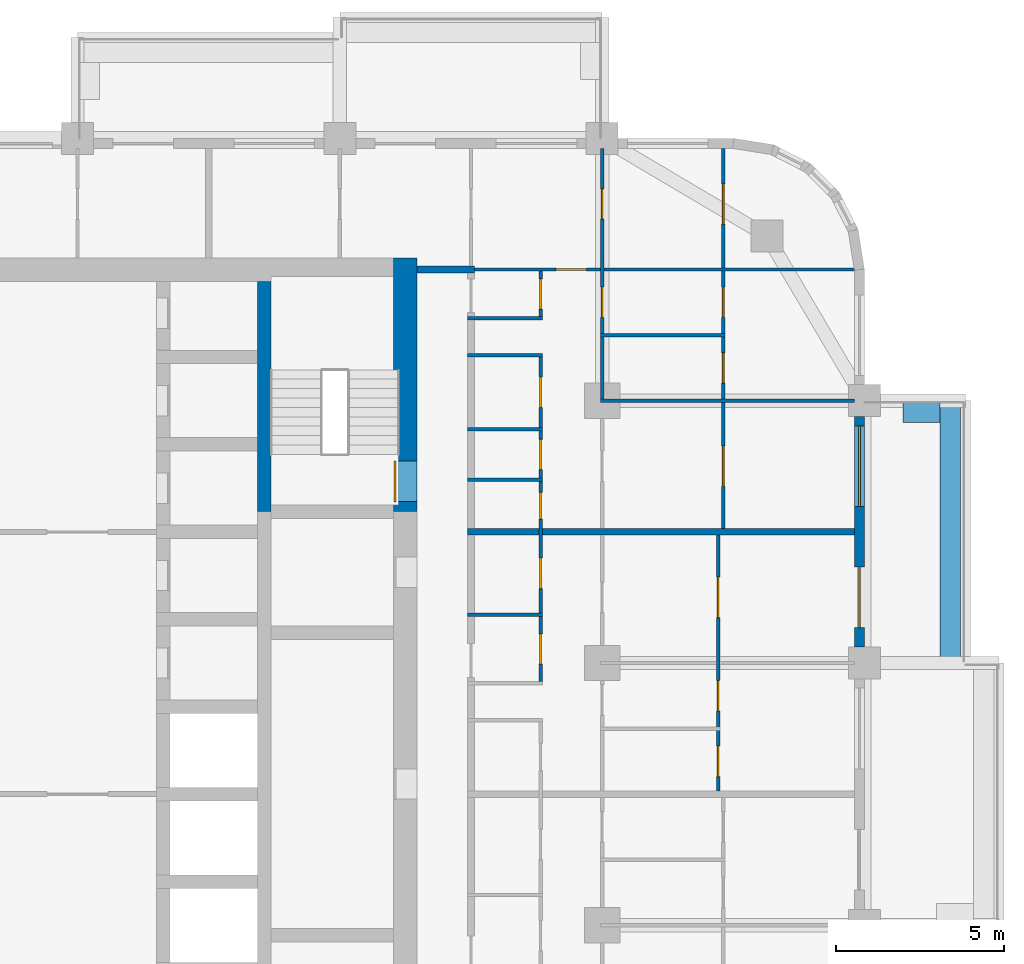
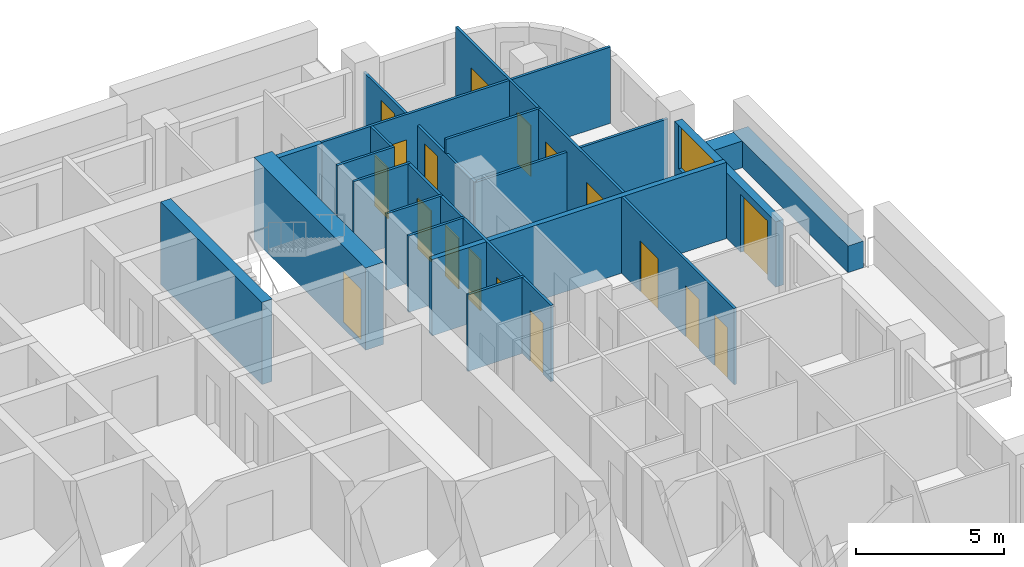
# One storey, part 13 of 18: 20 walls, 18 doors, 1 window, 19 openings.
"""IFC4 building model written with IfcOpenShell, lengths in metres."""

from ifc_helpers import new_model, si_unit, direction, frame, frame_2d, origin, place, context, subcontext, project, spatial, rectangle, extrude, material, layer, layer_set, type_object, element, fill, save


model = new_model("IFC4")

# Units and contexts
model_context = context("Model", 3, precision=1e-05, world=origin(), true_north=direction((0.0, 1.0)))
body_context = subcontext(model_context, "Body", "Model", "MODEL_VIEW")
ifc_project = project(units=[si_unit("LENGTHUNIT", "METRE"), si_unit("AREAUNIT", "SQUARE_METRE"), si_unit("VOLUMEUNIT", "CUBIC_METRE"), si_unit("PLANEANGLEUNIT", "RADIAN"), si_unit("MASSUNIT", "GRAM", prefix="KILO")], contexts=[model_context])

# Site, building, storey
site_placement = place(None, origin())
site = spatial("IfcSite", under=ifc_project, at=site_placement, CompositionType="ELEMENT")
building_placement = place(site_placement, origin())
building = spatial("IfcBuilding", under=site, at=building_placement, Name="Ludao Terraces", CompositionType="ELEMENT")
storey_placement = place(building_placement, frame((0.0, 0.0, 78.39990234375)))
storey = spatial("IfcBuildingStorey", under=building, at=storey_placement, Name="L21", CompositionType="ELEMENT", Elevation=78.39990234375)

# Wall, opening, door
ifc_material_1 = material(Name="Concrete C70", Category="concrete")
ifc_layer_1 = layer(ifc_material_1, 0.699951171875)
ifc_layer_set_1 = layer_set([ifc_layer_1], Name="Core wall 700 C70")
wall_type_1 = type_object("IfcWallType", Name="Core wall 700 C70", PredefinedType="SOLIDWALL", material=ifc_layer_set_1)
wall_1_placement = place(storey_placement, frame((94.75, 77.300048828125, -0.25), z_axis=(0.0, 0.0, 1.0), x_axis=(0.0, 1.0, 0.0)))
wall_1 = element("IfcWall", 1, at=wall_1_placement, inside=storey, type_object=wall_type_1, Name="Core wall L21 outer-E-S2", PredefinedType="SOLIDWALL", context=body_context, shape_type="SweptSolid", body=[
    extrude(rectangle(XDim=7.550048828125, YDim=0.699951171875, at=frame_2d((3.77490234375, 0.0))), origin(), (0.0, 0.0, 1.0), 3.400146484375),
])
opening_1_placement = place(wall_1_placement, frame((0.300048828125, 0.0, 0.25)))
opening_1 = element("IfcOpeningElement", 2, at=opening_1_placement, cuts=wall_1, Name="Opening R06-132", PredefinedType="OPENING", context=body_context, shape_type="SweptSolid", body=[
    extrude(rectangle(XDim=1.199951171875, YDim=2.10009765625, at=frame_2d((0.60009765625, 1.050048828125))), frame((0.0, 0.35986328125, 0.0), z_axis=(0.0, -1.0, 0.0), x_axis=(1.0, 0.0, 0.0)), (0.0, 0.0, 1.0), 0.719970703125),
])
ifc_material_2 = material(Name="Steel Q235", Category="steel")
door_type_1 = type_object("IfcDoorType", Name="INT Stair door 1200", OperationType="DOUBLE_DOOR_SINGLE_SWING", PredefinedType="DOOR", material=ifc_material_2)
door_1_placement = place(opening_1_placement, origin())
door_1 = element("IfcDoor", 3, at=door_1_placement, inside=storey, type_object=door_type_1, Name="DOOR 132", OperationType="DOUBLE_DOOR_SINGLE_SWING", OverallHeight=2.10009765625, OverallWidth=1.199951171875, PredefinedType="DOOR", context=body_context, shape_type="SweptSolid", body=[
    extrude(rectangle(XDim=1.199951171875, YDim=2.10009765625, at=frame_2d((0.60009765625, 1.050048828125))), frame((0.0, 0.3349609375, 0.0), z_axis=(0.0, -1.0, 0.0), x_axis=(1.0, 0.0, 0.0)), (0.0, 0.0, 1.0), 0.050048828125),
])
fill(opening_1, door_1)

# Walls
ifc_material_3 = material(Name="Concrete C40", Category="concrete")
ifc_layer_2 = layer(ifc_material_3, 0.60009765625)
ifc_layer_set_2 = layer_set([ifc_layer_2], Name="ENV Planter trough 600")
wall_type_2 = type_object("IfcWallType", Name="ENV Planter trough 600", PredefinedType="USERDEFINED", material=ifc_layer_set_2)
wall_2_placement = place(storey_placement, frame((110.949951171875, 72.800048828125, 0.0), z_axis=(0.0, 0.0, 1.0), x_axis=(0.0, 1.0, 0.0)))
element("IfcWall", 4, at=wall_2_placement, inside=storey, type_object=wall_type_2, Name="PL-L21-E4", ObjectType="PLANTER", PredefinedType="USERDEFINED", context=body_context, shape_type="SweptSolid", body=[
    extrude(rectangle(XDim=7.800048828125, YDim=0.60009765625, at=frame_2d((3.89990234375, 0.0))), origin(), (0.0, 0.0, 1.0), 1.10009765625),
])
wall_3_placement = place(storey_placement, frame((110.64990234375, 80.25, 0.0), z_axis=(0.0, 0.0, 1.0), x_axis=(-1.0, 0.0, 0.0)))
element("IfcWall", 5, at=wall_3_placement, inside=storey, type_object=wall_type_2, Name="PL-L21-E4-SB", ObjectType="PLANTER", PredefinedType="USERDEFINED", context=body_context, shape_type="SweptSolid", body=[
    extrude(rectangle(XDim=1.099853515625, YDim=0.60009765625, at=frame_2d((0.5498046875, 0.0))), origin(), (0.0, 0.0, 1.0), 1.10009765625),
])

# Wall, openings, door, window
ifc_material_4 = material(Name="Granite cladding", Category="masonry")
ifc_layer_3 = layer(ifc_material_4, 0.0400390625, Category="stone")
ifc_material_5 = material(Name="Mineral wool")
ifc_layer_4 = layer(ifc_material_5, 0.06005859375)
ifc_layer_5 = layer(ifc_material_3, 0.199951171875, Category="concrete")
ifc_layer_set_3 = layer_set([ifc_layer_3, ifc_layer_4, ifc_layer_5], Name="ENV Stone-clad wall 300")
wall_type_3 = type_object("IfcWallType", Name="ENV Stone-clad wall 300", PredefinedType="SOLIDWALL", material=ifc_layer_set_3)
wall_4_placement = place(storey_placement, frame((108.25, 73.27490234375, 0.0), z_axis=(0.0, 0.0, 1.0), x_axis=(0.0, 1.0, 0.0)))
wall_4 = element("IfcWall", 6, at=wall_4_placement, inside=storey, type_object=wall_type_3, Name="EW-L21-E5", PredefinedType="SOLIDWALL", context=body_context, shape_type="SweptSolid", body=[
    extrude(rectangle(XDim=6.85009765625, YDim=0.300048828125, at=frame_2d((3.425048828125, 0.0))), origin(), (0.0, 0.0, 1.0), 2.7001953125),
])
opening_2_placement = place(wall_4_placement, frame((0.574951171875, 0.0, 0.0)))
opening_2 = element("IfcOpeningElement", 7, at=opening_2_placement, cuts=wall_4, Name="Opening BD", PredefinedType="OPENING", context=body_context, shape_type="SweptSolid", body=[
    extrude(rectangle(XDim=1.800048828125, YDim=2.39990234375, at=frame_2d((0.89990234375, 1.199951171875))), frame((0.0, 0.16015625, 0.0), z_axis=(0.0, -1.0, 0.0), x_axis=(1.0, 0.0, 0.0)), (0.0, 0.0, 1.0), 0.320068359375),
])
opening_3_placement = place(wall_4_placement, frame((4.175048828125, 0.0, 0.89990234375)))
opening_3 = element("IfcOpeningElement", 8, at=opening_3_placement, cuts=wall_4, Name="Opening W1", PredefinedType="OPENING", context=body_context, shape_type="SweptSolid", body=[
    extrude(rectangle(XDim=2.39990234375, YDim=1.800048828125, at=frame_2d((1.199951171875, 0.89990234375))), frame((0.0, 0.16015625, 0.0), z_axis=(0.0, -1.0, 0.0), x_axis=(1.0, 0.0, 0.0)), (0.0, 0.0, 1.0), 0.320068359375),
])
ifc_material_6 = material(Name="Aluminium glazed door", Category="aluminium")
ifc_layer_6 = layer(ifc_material_6, 0.06005859375)
ifc_layer_set_4 = layer_set([ifc_layer_6], Name="ENV Balcony door BD 1800x2400")
door_type_2 = type_object("IfcDoorType", Name="ENV Balcony door BD 1800x2400", OperationType="DOUBLE_DOOR_SINGLE_SWING", PredefinedType="DOOR", material=ifc_layer_set_4)
door_2_placement = place(opening_2_placement, origin())
door_2 = element("IfcDoor", 9, at=door_2_placement, inside=storey, type_object=door_type_2, Name="BD-L21-E5-1", OperationType="DOUBLE_DOOR_SINGLE_SWING", OverallHeight=2.39990234375, OverallWidth=1.800048828125, PredefinedType="DOOR", context=body_context, shape_type="SweptSolid", body=[
    extrude(rectangle(XDim=1.800048828125, YDim=2.39990234375, at=frame_2d((0.89990234375, 1.199951171875))), frame((0.0, 0.02490234375, 0.0), z_axis=(0.0, -1.0, 0.0), x_axis=(1.0, 0.0, 0.0)), (0.0, 0.0, 1.0), 0.050048828125),
])
fill(opening_2, door_2)
ifc_material_7 = material(Name="Clear glass in aluminium frame", Category="aluminium")
ifc_layer_7 = layer(ifc_material_7, 0.06005859375)
ifc_layer_set_5 = layer_set([ifc_layer_7], Name="ENV Window W1 2400x1800")
window_type = type_object("IfcWindowType", Name="ENV Window W1 2400x1800", PartitioningType="DOUBLE_PANEL_VERTICAL", PredefinedType="WINDOW", material=ifc_layer_set_5)
window_placement = place(opening_3_placement, origin())
window = element("IfcWindow", 10, at=window_placement, inside=storey, type_object=window_type, Name="W-L21-E5-2", OverallHeight=1.800048828125, OverallWidth=2.39990234375, PartitioningType="DOUBLE_PANEL_VERTICAL", PredefinedType="WINDOW", context=body_context, shape_type="SweptSolid", body=[
    extrude(rectangle(XDim=2.39990234375, YDim=1.800048828125, at=frame_2d((1.199951171875, 0.89990234375))), frame((0.0, 0.030029296875, 0.0), z_axis=(0.0, -1.0, 0.0), x_axis=(1.0, 0.0, 0.0)), (0.0, 0.0, 1.0), 0.06005859375),
])
fill(opening_3, window)

# Walls
ifc_material_8 = material(Name="Autoclaved aerated concrete block B06 A3.5", Category="concrete")
ifc_layer_8 = layer(ifc_material_8, 0.199951171875)
ifc_layer_set_6 = layer_set([ifc_layer_8], Name="INT Entrance wall 200")
wall_type_4 = type_object("IfcWallType", Name="INT Entrance wall 200", PredefinedType="PARTITIONING", material=ifc_layer_set_6)
wall_5_placement = place(storey_placement, frame((95.10009765625, 84.5, 0.0), z_axis=(0.0, 0.0, 1.0), x_axis=(1.0, 0.0, 0.0)))
element("IfcWall", 11, at=wall_5_placement, inside=storey, type_object=wall_type_4, Name="PW-L21-PW079", PredefinedType="PARTITIONING", context=body_context, shape_type="SweptSolid", body=[
    extrude(rectangle(XDim=1.699951171875, YDim=0.199951171875, at=frame_2d((0.85009765625, 0.0))), origin(), (0.0, 0.0, 1.0), 3.150146484375),
])
ifc_material_9 = material(Name="Gypsum plasterboard", Category="gypsum")
ifc_layer_9 = layer(ifc_material_9, 0.012451171875, Category="gypsum")
ifc_layer_10 = layer(ifc_material_5, 0.06005859375, Name="insulation")
ifc_layer_11 = layer(ifc_material_2, 0.014892578125, Name="stud")
ifc_layer_12 = layer(ifc_material_9, 0.012451171875, Category="gypsum")
ifc_layer_set_7 = layer_set([ifc_layer_9, ifc_layer_10, ifc_layer_11, ifc_layer_12], Name="INT Partition 100")
wall_type_5 = type_object("IfcWallType", Name="INT Partition 100", PredefinedType="PARTITIONING", material=ifc_layer_set_7)
for number, where, z_axis, x_axis, name in (
    (12, (96.60009765625, 74.22998046875, 0.0), (0.0, 0.0, 1.0), (1.0, 0.0, 0.0), "PW-L21-PW059"),
    (13, (96.60009765625, 78.25, 0.0), (0.0, 0.0, 1.0), (1.0, 0.0, 0.0), "PW-L21-PW065"),
    (14, (96.60009765625, 79.75, 0.0), (0.0, 0.0, 1.0), (1.0, 0.0, 0.0), "PW-L21-PW067"),
):
    element("IfcWall", number, at=place(storey_placement, frame(where, z_axis=z_axis, x_axis=x_axis)), inside=storey, type_object=wall_type_5, Name=name, PredefinedType="PARTITIONING", context=body_context, shape_type="SweptSolid", body=[
        extrude(rectangle(XDim=2.219970703125, YDim=0.10009765625, at=frame_2d((1.10986328125, 0.0))), origin(), (0.0, 0.0, 1.0), 3.150146484375),
    ])
wall_6_placement = place(storey_placement, frame((100.550048828125, 80.60009765625, 0.0), z_axis=(0.0, 0.0, 1.0), x_axis=(1.0, 0.0, 0.0)))
element("IfcWall", 15, at=wall_6_placement, inside=storey, type_object=wall_type_5, Name="PW-L21-PW070", PredefinedType="PARTITIONING", context=body_context, shape_type="SweptSolid", body=[
    extrude(rectangle(XDim=7.550048828125, YDim=0.10009765625, at=frame_2d((3.77490234375, 0.0))), origin(), (0.0, 0.0, 1.0), 2.550048828125),
])
wall_7_placement = place(storey_placement, frame((96.60009765625, 81.949951171875, 0.0), z_axis=(0.0, 0.0, 1.0), x_axis=(1.0, 0.0, 0.0)))
element("IfcWall", 16, at=wall_7_placement, inside=storey, type_object=wall_type_5, Name="PW-L21-PW071", PredefinedType="PARTITIONING", context=body_context, shape_type="SweptSolid", body=[
    extrude(rectangle(XDim=2.219970703125, YDim=0.10009765625, at=frame_2d((1.10986328125, 0.0))), origin(), (0.0, 0.0, 1.0), 3.150146484375),
])
wall_8_placement = place(storey_placement, frame((100.550048828125, 82.550048828125, 0.0), z_axis=(0.0, 0.0, 1.0), x_axis=(1.0, 0.0, 0.0)))
element("IfcWall", 17, at=wall_8_placement, inside=storey, type_object=wall_type_5, Name="PW-L21-PW074", PredefinedType="PARTITIONING", context=body_context, shape_type="SweptSolid", body=[
    extrude(rectangle(XDim=3.699951171875, YDim=0.10009765625, at=frame_2d((1.85009765625, 0.0))), origin(), (0.0, 0.0, 1.0), 3.150146484375),
])
wall_9_placement = place(storey_placement, frame((96.60009765625, 83.050048828125, 0.0), z_axis=(0.0, 0.0, 1.0), x_axis=(1.0, 0.0, 0.0)))
element("IfcWall", 18, at=wall_9_placement, inside=storey, type_object=wall_type_5, Name="PW-L21-PW075", PredefinedType="PARTITIONING", context=body_context, shape_type="SweptSolid", body=[
    extrude(rectangle(XDim=2.219970703125, YDim=0.10009765625, at=frame_2d((1.10986328125, 0.0))), origin(), (0.0, 0.0, 1.0), 3.150146484375),
])

# Wall, opening, door
wall_10_placement = place(storey_placement, frame((96.60009765625, 84.5, 0.0), z_axis=(0.0, 0.0, 1.0), x_axis=(1.0, 0.0, 0.0)))
wall_10 = element("IfcWall", 19, at=wall_10_placement, inside=storey, type_object=wall_type_5, Name="PW-L21-PW080", PredefinedType="PARTITIONING", context=body_context, shape_type="SweptSolid", body=[
    extrude(rectangle(XDim=11.5, YDim=0.10009765625, at=frame_2d((5.75, 0.0))), origin(), (0.0, 0.0, 1.0), 3.150146484375),
])
opening_4_placement = place(wall_10_placement, frame((2.635009765625, 0.0, 0.0)))
opening_4 = element("IfcOpeningElement", 20, at=opening_4_placement, cuts=wall_10, Name="Opening R06-156", PredefinedType="OPENING", context=body_context, shape_type="SweptSolid", body=[
    extrude(rectangle(XDim=0.89990234375, YDim=2.10009765625, at=frame_2d((0.449951171875, 1.050048828125))), frame((0.0, 0.06005859375, 0.0), z_axis=(0.0, -1.0, 0.0), x_axis=(1.0, 0.0, 0.0)), (0.0, 0.0, 1.0), 0.1201171875),
])
ifc_material_10 = material(Name="Timber door leaf", Category="wood")
door_type_3 = type_object("IfcDoorType", Name="INT Room door 900", OperationType="SINGLE_SWING_LEFT", PredefinedType="DOOR", material=ifc_material_10)
door_3_placement = place(opening_4_placement, origin())
door_3 = element("IfcDoor", 21, at=door_3_placement, inside=storey, type_object=door_type_3, Name="DOOR 156", OperationType="SINGLE_SWING_LEFT", OverallHeight=2.10009765625, OverallWidth=0.89990234375, PredefinedType="DOOR", context=body_context, shape_type="SweptSolid", body=[
    extrude(rectangle(XDim=0.89990234375, YDim=2.10009765625, at=frame_2d((0.449951171875, 1.050048828125))), frame((0.0, 0.02490234375, 0.0), z_axis=(0.0, -1.0, 0.0), x_axis=(1.0, 0.0, 0.0)), (0.0, 0.0, 1.0), 0.050048828125),
])
fill(opening_4, door_3)

# Wall, openings, doors
wall_11_placement = place(storey_placement, frame((98.77001953125, 72.25, 0.0), z_axis=(0.0, 0.0, 1.0), x_axis=(0.0, 1.0, 0.0)))
wall_11 = element("IfcWall", 22, at=wall_11_placement, inside=storey, type_object=wall_type_5, Name="PW-L21-PW121", PredefinedType="PARTITIONING", context=body_context, shape_type="SweptSolid", body=[
    extrude(rectangle(XDim=9.650146484375, YDim=0.10009765625, at=frame_2d((4.8251953125, 0.0))), origin(), (0.0, 0.0, 1.0), 3.150146484375),
])
opening_5_placement = place(wall_11_placement, frame((0.51513671875, 0.0, 0.0)))
opening_5 = element("IfcOpeningElement", 23, at=opening_5_placement, cuts=wall_11, Name="Opening R06-113", PredefinedType="OPENING", context=body_context, shape_type="SweptSolid", body=[
    extrude(rectangle(XDim=0.89990234375, YDim=2.10009765625, at=frame_2d((0.449951171875, 1.050048828125))), frame((0.0, 0.06005859375, 0.0), z_axis=(0.0, -1.0, 0.0), x_axis=(1.0, 0.0, 0.0)), (0.0, 0.0, 1.0), 0.1201171875),
])
opening_6_placement = place(wall_11_placement, frame((2.76513671875, 0.0, 0.0)))
opening_6 = element("IfcOpeningElement", 24, at=opening_6_placement, cuts=wall_11, Name="Opening R06-120", PredefinedType="OPENING", context=body_context, shape_type="SweptSolid", body=[
    extrude(rectangle(XDim=0.89990234375, YDim=2.10009765625, at=frame_2d((0.449951171875, 1.050048828125))), frame((0.0, 0.06005859375, 0.0), z_axis=(0.0, -1.0, 0.0), x_axis=(1.0, 0.0, 0.0)), (0.0, 0.0, 1.0), 0.1201171875),
])
opening_7_placement = place(wall_11_placement, frame((4.8251953125, 0.0, 0.0)))
opening_7 = element("IfcOpeningElement", 25, at=opening_7_placement, cuts=wall_11, Name="Opening R06-127", PredefinedType="OPENING", context=body_context, shape_type="SweptSolid", body=[
    extrude(rectangle(XDim=0.800048828125, YDim=2.10009765625, at=frame_2d((0.39990234375, 1.050048828125))), frame((0.0, 0.06005859375, 0.0), z_axis=(0.0, -1.0, 0.0), x_axis=(1.0, 0.0, 0.0)), (0.0, 0.0, 1.0), 0.1201171875),
])
opening_8_placement = place(wall_11_placement, frame((6.300048828125, 0.0, 0.0)))
opening_8 = element("IfcOpeningElement", 26, at=opening_8_placement, cuts=wall_11, Name="Opening R06-137", PredefinedType="OPENING", context=body_context, shape_type="SweptSolid", body=[
    extrude(rectangle(XDim=0.89990234375, YDim=2.10009765625, at=frame_2d((0.449951171875, 1.050048828125))), frame((0.0, 0.06005859375, 0.0), z_axis=(0.0, -1.0, 0.0), x_axis=(1.0, 0.0, 0.0)), (0.0, 0.0, 1.0), 0.1201171875),
])
opening_9_placement = place(wall_11_placement, frame((8.150146484375, 0.0, 0.0)))
opening_9 = element("IfcOpeningElement", 27, at=opening_9_placement, cuts=wall_11, Name="Opening R06-141", PredefinedType="OPENING", context=body_context, shape_type="SweptSolid", body=[
    extrude(rectangle(XDim=0.89990234375, YDim=2.10009765625, at=frame_2d((0.449951171875, 1.050048828125))), frame((0.0, 0.06005859375, 0.0), z_axis=(0.0, -1.0, 0.0), x_axis=(1.0, 0.0, 0.0)), (0.0, 0.0, 1.0), 0.1201171875),
])
door_type_4 = type_object("IfcDoorType", Name="INT Bathroom door 900", OperationType="SINGLE_SWING_LEFT", PredefinedType="DOOR", material=ifc_material_10)
door_4_placement = place(opening_5_placement, origin())
door_4 = element("IfcDoor", 28, at=door_4_placement, inside=storey, type_object=door_type_4, Name="DOOR 113", OperationType="SINGLE_SWING_LEFT", OverallHeight=2.10009765625, OverallWidth=0.89990234375, PredefinedType="DOOR", context=body_context, shape_type="SweptSolid", body=[
    extrude(rectangle(XDim=0.89990234375, YDim=2.10009765625, at=frame_2d((0.449951171875, 1.050048828125))), frame((0.0, 0.02490234375, 0.0), z_axis=(0.0, -1.0, 0.0), x_axis=(1.0, 0.0, 0.0)), (0.0, 0.0, 1.0), 0.050048828125),
])
fill(opening_5, door_4)
door_5_placement = place(opening_8_placement, origin())
door_5 = element("IfcDoor", 29, at=door_5_placement, inside=storey, type_object=door_type_4, Name="DOOR 137", OperationType="SINGLE_SWING_LEFT", OverallHeight=2.10009765625, OverallWidth=0.89990234375, PredefinedType="DOOR", context=body_context, shape_type="SweptSolid", body=[
    extrude(rectangle(XDim=0.89990234375, YDim=2.10009765625, at=frame_2d((0.449951171875, 1.050048828125))), frame((0.0, 0.02490234375, 0.0), z_axis=(0.0, -1.0, 0.0), x_axis=(1.0, 0.0, 0.0)), (0.0, 0.0, 1.0), 0.050048828125),
])
fill(opening_8, door_5)
door_6_placement = place(opening_6_placement, origin())
door_6 = element("IfcDoor", 30, at=door_6_placement, inside=storey, type_object=door_type_3, Name="DOOR 120", OperationType="SINGLE_SWING_RIGHT", OverallHeight=2.10009765625, OverallWidth=0.89990234375, PredefinedType="DOOR", context=body_context, shape_type="SweptSolid", body=[
    extrude(rectangle(XDim=0.89990234375, YDim=2.10009765625, at=frame_2d((0.449951171875, 1.050048828125))), frame((0.0, 0.02490234375, 0.0), z_axis=(0.0, -1.0, 0.0), x_axis=(1.0, 0.0, 0.0)), (0.0, 0.0, 1.0), 0.050048828125),
])
fill(opening_6, door_6)
door_7_placement = place(opening_9_placement, origin())
door_7 = element("IfcDoor", 31, at=door_7_placement, inside=storey, type_object=door_type_3, Name="DOOR 141", OperationType="SINGLE_SWING_LEFT", OverallHeight=2.10009765625, OverallWidth=0.89990234375, PredefinedType="DOOR", context=body_context, shape_type="SweptSolid", body=[
    extrude(rectangle(XDim=0.89990234375, YDim=2.10009765625, at=frame_2d((0.449951171875, 1.050048828125))), frame((0.0, 0.02490234375, 0.0), z_axis=(0.0, -1.0, 0.0), x_axis=(1.0, 0.0, 0.0)), (0.0, 0.0, 1.0), 0.050048828125),
])
fill(opening_9, door_7)
door_type_5 = type_object("IfcDoorType", Name="INT Store door 800", OperationType="SINGLE_SWING_LEFT", PredefinedType="DOOR", material=ifc_material_10)
door_8_placement = place(opening_7_placement, origin())
door_8 = element("IfcDoor", 32, at=door_8_placement, inside=storey, type_object=door_type_5, Name="DOOR 127", OperationType="SINGLE_SWING_LEFT", OverallHeight=2.10009765625, OverallWidth=0.800048828125, PredefinedType="DOOR", context=body_context, shape_type="SweptSolid", body=[
    extrude(rectangle(XDim=0.800048828125, YDim=2.10009765625, at=frame_2d((0.39990234375, 1.050048828125))), frame((0.0, 0.02490234375, 0.0), z_axis=(0.0, -1.0, 0.0), x_axis=(1.0, 0.0, 0.0)), (0.0, 0.0, 1.0), 0.050048828125),
])
fill(opening_7, door_8)

# Wall, opening, door
wall_12_placement = place(storey_placement, frame((98.77001953125, 83.10009765625, 0.0), z_axis=(0.0, 0.0, 1.0), x_axis=(0.0, 1.0, 0.0)))
wall_12 = element("IfcWall", 33, at=wall_12_placement, inside=storey, type_object=wall_type_5, Name="PW-L21-PW122", PredefinedType="PARTITIONING", context=body_context, shape_type="SweptSolid", body=[
    extrude(rectangle(XDim=1.35009765625, YDim=0.10009765625, at=frame_2d((0.675048828125, 0.0))), origin(), (0.0, 0.0, 1.0), 3.150146484375),
])
opening_10_placement = place(wall_12_placement, frame((0.22509765625, 0.0, 0.0)))
opening_10 = element("IfcOpeningElement", 34, at=opening_10_placement, cuts=wall_12, Name="Opening R06-153", PredefinedType="OPENING", context=body_context, shape_type="SweptSolid", body=[
    extrude(rectangle(XDim=0.89990234375, YDim=2.10009765625, at=frame_2d((0.449951171875, 1.050048828125))), frame((0.0, 0.06005859375, 0.0), z_axis=(0.0, -1.0, 0.0), x_axis=(1.0, 0.0, 0.0)), (0.0, 0.0, 1.0), 0.1201171875),
])
door_9_placement = place(opening_10_placement, origin())
door_9 = element("IfcDoor", 35, at=door_9_placement, inside=storey, type_object=door_type_4, Name="DOOR 153", OperationType="SINGLE_SWING_LEFT", OverallHeight=2.10009765625, OverallWidth=0.89990234375, PredefinedType="DOOR", context=body_context, shape_type="SweptSolid", body=[
    extrude(rectangle(XDim=0.89990234375, YDim=2.10009765625, at=frame_2d((0.449951171875, 1.050048828125))), frame((0.0, 0.02490234375, 0.0), z_axis=(0.0, -1.0, 0.0), x_axis=(1.0, 0.0, 0.0)), (0.0, 0.0, 1.0), 0.050048828125),
])
fill(opening_10, door_9)

# Wall, openings, doors
wall_13_placement = place(storey_placement, frame((100.60009765625, 80.60009765625, 0.0), z_axis=(0.0, 0.0, 1.0), x_axis=(0.0, 1.0, 0.0)))
wall_13 = element("IfcWall", 36, at=wall_13_placement, inside=storey, type_object=wall_type_5, Name="PW-L21-PW123-3", PredefinedType="PARTITIONING", context=body_context, shape_type="SweptSolid", body=[
    extrude(rectangle(XDim=7.5, YDim=0.10009765625, at=frame_2d((3.75, 0.0))), origin(), (0.0, 0.0, 1.0), 2.550048828125),
])
opening_11_placement = place(wall_13_placement, frame((2.47509765625, 0.0, 0.0)))
opening_11 = element("IfcOpeningElement", 37, at=opening_11_placement, cuts=wall_13, Name="Opening R06-150", PredefinedType="OPENING", context=body_context, shape_type="SweptSolid", body=[
    extrude(rectangle(XDim=0.89990234375, YDim=2.10009765625, at=frame_2d((0.449951171875, 1.050048828125))), frame((0.0, 0.06005859375, 0.0), z_axis=(0.0, -1.0, 0.0), x_axis=(1.0, 0.0, 0.0)), (0.0, 0.0, 1.0), 0.1201171875),
])
opening_12_placement = place(wall_13_placement, frame((5.39990234375, 0.0, 0.0)))
opening_12 = element("IfcOpeningElement", 38, at=opening_12_placement, cuts=wall_13, Name="Opening R06-165", PredefinedType="OPENING", context=body_context, shape_type="SweptSolid", body=[
    extrude(rectangle(XDim=0.89990234375, YDim=2.10009765625, at=frame_2d((0.449951171875, 1.050048828125))), frame((0.0, 0.06005859375, 0.0), z_axis=(0.0, -1.0, 0.0), x_axis=(1.0, 0.0, 0.0)), (0.0, 0.0, 1.0), 0.1201171875),
])
door_10_placement = place(opening_11_placement, origin())
door_10 = element("IfcDoor", 39, at=door_10_placement, inside=storey, type_object=door_type_3, Name="DOOR 150", OperationType="SINGLE_SWING_RIGHT", OverallHeight=2.10009765625, OverallWidth=0.89990234375, PredefinedType="DOOR", context=body_context, shape_type="SweptSolid", body=[
    extrude(rectangle(XDim=0.89990234375, YDim=2.10009765625, at=frame_2d((0.449951171875, 1.050048828125))), frame((0.0, 0.02490234375, 0.0), z_axis=(0.0, -1.0, 0.0), x_axis=(1.0, 0.0, 0.0)), (0.0, 0.0, 1.0), 0.050048828125),
])
fill(opening_11, door_10)
door_11_placement = place(opening_12_placement, origin())
door_11 = element("IfcDoor", 40, at=door_11_placement, inside=storey, type_object=door_type_3, Name="DOOR 165", OperationType="SINGLE_SWING_LEFT", OverallHeight=2.10009765625, OverallWidth=0.89990234375, PredefinedType="DOOR", context=body_context, shape_type="SweptSolid", body=[
    extrude(rectangle(XDim=0.89990234375, YDim=2.10009765625, at=frame_2d((0.449951171875, 1.050048828125))), frame((0.0, 0.02490234375, 0.0), z_axis=(0.0, -1.0, 0.0), x_axis=(1.0, 0.0, 0.0)), (0.0, 0.0, 1.0), 0.050048828125),
])
fill(opening_12, door_11)

wall_14_placement = place(storey_placement, frame((104.050048828125, 69.0, 0.0), z_axis=(0.0, 0.0, 1.0), x_axis=(0.0, 1.0, 0.0)))
wall_14 = element("IfcWall", 41, at=wall_14_placement, inside=storey, type_object=wall_type_5, Name="PW-L21-PW124", PredefinedType="PARTITIONING", context=body_context, shape_type="SweptSolid", body=[
    extrude(rectangle(XDim=7.60009765625, YDim=0.10009765625, at=frame_2d((3.800048828125, 0.0))), origin(), (0.0, 0.0, 1.0), 3.150146484375),
])
opening_13_placement = place(wall_14_placement, frame((0.425048828125, 0.0, 0.0)))
opening_13 = element("IfcOpeningElement", 42, at=opening_13_placement, cuts=wall_14, Name="Opening R06-101", PredefinedType="OPENING", context=body_context, shape_type="SweptSolid", body=[
    extrude(rectangle(XDim=0.89990234375, YDim=2.10009765625, at=frame_2d((0.449951171875, 1.050048828125))), frame((0.0, 0.06005859375, 0.0), z_axis=(0.0, -1.0, 0.0), x_axis=(1.0, 0.0, 0.0)), (0.0, 0.0, 1.0), 0.1201171875),
])
opening_14_placement = place(wall_14_placement, frame((2.375, 0.0, 0.0)))
opening_14 = element("IfcOpeningElement", 43, at=opening_14_placement, cuts=wall_14, Name="Opening R06-108", PredefinedType="OPENING", context=body_context, shape_type="SweptSolid", body=[
    extrude(rectangle(XDim=0.89990234375, YDim=2.10009765625, at=frame_2d((0.449951171875, 1.050048828125))), frame((0.0, 0.06005859375, 0.0), z_axis=(0.0, -1.0, 0.0), x_axis=(1.0, 0.0, 0.0)), (0.0, 0.0, 1.0), 0.1201171875),
])
opening_15_placement = place(wall_14_placement, frame((5.150146484375, 0.0, 0.0)))
opening_15 = element("IfcOpeningElement", 44, at=opening_15_placement, cuts=wall_14, Name="Opening R06-117", PredefinedType="OPENING", context=body_context, shape_type="SweptSolid", body=[
    extrude(rectangle(XDim=1.199951171875, YDim=2.10009765625, at=frame_2d((0.60009765625, 1.050048828125))), frame((0.0, 0.06005859375, 0.0), z_axis=(0.0, -1.0, 0.0), x_axis=(1.0, 0.0, 0.0)), (0.0, 0.0, 1.0), 0.1201171875),
])
door_12_placement = place(opening_13_placement, origin())
door_12 = element("IfcDoor", 45, at=door_12_placement, inside=storey, type_object=door_type_4, Name="DOOR 101", OperationType="SINGLE_SWING_LEFT", OverallHeight=2.10009765625, OverallWidth=0.89990234375, PredefinedType="DOOR", context=body_context, shape_type="SweptSolid", body=[
    extrude(rectangle(XDim=0.89990234375, YDim=2.10009765625, at=frame_2d((0.449951171875, 1.050048828125))), frame((0.0, 0.02490234375, 0.0), z_axis=(0.0, -1.0, 0.0), x_axis=(1.0, 0.0, 0.0)), (0.0, 0.0, 1.0), 0.050048828125),
])
fill(opening_13, door_12)
door_type_6 = type_object("IfcDoorType", Name="INT Double door 1200", OperationType="DOUBLE_DOOR_SINGLE_SWING", PredefinedType="DOOR", material=ifc_material_10)
door_13_placement = place(opening_15_placement, origin())
door_13 = element("IfcDoor", 46, at=door_13_placement, inside=storey, type_object=door_type_6, Name="DOOR 117", OperationType="DOUBLE_DOOR_SINGLE_SWING", OverallHeight=2.10009765625, OverallWidth=1.199951171875, PredefinedType="DOOR", context=body_context, shape_type="SweptSolid", body=[
    extrude(rectangle(XDim=1.199951171875, YDim=2.10009765625, at=frame_2d((0.60009765625, 1.050048828125))), frame((0.0, 0.02490234375, 0.0), z_axis=(0.0, -1.0, 0.0), x_axis=(1.0, 0.0, 0.0)), (0.0, 0.0, 1.0), 0.050048828125),
])
fill(opening_15, door_13)
door_14_placement = place(opening_14_placement, origin())
door_14 = element("IfcDoor", 47, at=door_14_placement, inside=storey, type_object=door_type_3, Name="DOOR 108", OperationType="SINGLE_SWING_LEFT", OverallHeight=2.10009765625, OverallWidth=0.89990234375, PredefinedType="DOOR", context=body_context, shape_type="SweptSolid", body=[
    extrude(rectangle(XDim=0.89990234375, YDim=2.10009765625, at=frame_2d((0.449951171875, 1.050048828125))), frame((0.0, 0.02490234375, 0.0), z_axis=(0.0, -1.0, 0.0), x_axis=(1.0, 0.0, 0.0)), (0.0, 0.0, 1.0), 0.050048828125),
])
fill(opening_14, door_14)

wall_15_placement = place(storey_placement, frame((104.199951171875, 76.800048828125, 0.0), z_axis=(0.0, 0.0, 1.0), x_axis=(0.0, 1.0, 0.0)))
wall_15 = element("IfcWall", 48, at=wall_15_placement, inside=storey, type_object=wall_type_5, Name="PW-L21-PW126", PredefinedType="PARTITIONING", context=body_context, shape_type="SweptSolid", body=[
    extrude(rectangle(XDim=11.300048828125, YDim=0.10009765625, at=frame_2d((5.64990234375, 0.0))), origin(), (0.0, 0.0, 1.0), 3.150146484375),
])
opening_16_placement = place(wall_15_placement, frame((1.25, 0.0, 0.0)))
opening_16 = element("IfcOpeningElement", 49, at=opening_16_placement, cuts=wall_15, Name="Opening R06-136", PredefinedType="OPENING", context=body_context, shape_type="SweptSolid", body=[
    extrude(rectangle(XDim=1.199951171875, YDim=2.10009765625, at=frame_2d((0.60009765625, 1.050048828125))), frame((0.0, 0.06005859375, 0.0), z_axis=(0.0, -1.0, 0.0), x_axis=(1.0, 0.0, 0.0)), (0.0, 0.0, 1.0), 0.1201171875),
])
opening_17_placement = place(wall_15_placement, frame((4.324951171875, 0.0, 0.0)))
opening_17 = element("IfcOpeningElement", 50, at=opening_17_placement, cuts=wall_15, Name="Opening R06-144", PredefinedType="OPENING", context=body_context, shape_type="SweptSolid", body=[
    extrude(rectangle(XDim=0.89990234375, YDim=2.10009765625, at=frame_2d((0.449951171875, 1.050048828125))), frame((0.0, 0.06005859375, 0.0), z_axis=(0.0, -1.0, 0.0), x_axis=(1.0, 0.0, 0.0)), (0.0, 0.0, 1.0), 0.1201171875),
])
opening_18_placement = place(wall_15_placement, frame((6.27490234375, 0.0, 0.0)))
opening_18 = element("IfcOpeningElement", 51, at=opening_18_placement, cuts=wall_15, Name="Opening R06-151", PredefinedType="OPENING", context=body_context, shape_type="SweptSolid", body=[
    extrude(rectangle(XDim=0.89990234375, YDim=2.10009765625, at=frame_2d((0.449951171875, 1.050048828125))), frame((0.0, 0.06005859375, 0.0), z_axis=(0.0, -1.0, 0.0), x_axis=(1.0, 0.0, 0.0)), (0.0, 0.0, 1.0), 0.1201171875),
])
opening_19_placement = place(wall_15_placement, frame((9.050048828125, 0.0, 0.0)))
opening_19 = element("IfcOpeningElement", 52, at=opening_19_placement, cuts=wall_15, Name="Opening R06-166", PredefinedType="OPENING", context=body_context, shape_type="SweptSolid", body=[
    extrude(rectangle(XDim=1.199951171875, YDim=2.10009765625, at=frame_2d((0.60009765625, 1.050048828125))), frame((0.0, 0.06005859375, 0.0), z_axis=(0.0, -1.0, 0.0), x_axis=(1.0, 0.0, 0.0)), (0.0, 0.0, 1.0), 0.1201171875),
])
door_15_placement = place(opening_17_placement, origin())
door_15 = element("IfcDoor", 53, at=door_15_placement, inside=storey, type_object=door_type_4, Name="DOOR 144", OperationType="SINGLE_SWING_LEFT", OverallHeight=2.10009765625, OverallWidth=0.89990234375, PredefinedType="DOOR", context=body_context, shape_type="SweptSolid", body=[
    extrude(rectangle(XDim=0.89990234375, YDim=2.10009765625, at=frame_2d((0.449951171875, 1.050048828125))), frame((0.0, 0.02490234375, 0.0), z_axis=(0.0, -1.0, 0.0), x_axis=(1.0, 0.0, 0.0)), (0.0, 0.0, 1.0), 0.050048828125),
])
fill(opening_17, door_15)
door_16_placement = place(opening_16_placement, origin())
door_16 = element("IfcDoor", 54, at=door_16_placement, inside=storey, type_object=door_type_6, Name="DOOR 136", OperationType="DOUBLE_DOOR_SINGLE_SWING", OverallHeight=2.10009765625, OverallWidth=1.199951171875, PredefinedType="DOOR", context=body_context, shape_type="SweptSolid", body=[
    extrude(rectangle(XDim=1.199951171875, YDim=2.10009765625, at=frame_2d((0.60009765625, 1.050048828125))), frame((0.0, 0.02490234375, 0.0), z_axis=(0.0, -1.0, 0.0), x_axis=(1.0, 0.0, 0.0)), (0.0, 0.0, 1.0), 0.050048828125),
])
fill(opening_16, door_16)
door_17_placement = place(opening_19_placement, origin())
door_17 = element("IfcDoor", 55, at=door_17_placement, inside=storey, type_object=door_type_6, Name="DOOR 166", OperationType="DOUBLE_DOOR_SINGLE_SWING", OverallHeight=2.10009765625, OverallWidth=1.199951171875, PredefinedType="DOOR", context=body_context, shape_type="SweptSolid", body=[
    extrude(rectangle(XDim=1.199951171875, YDim=2.10009765625, at=frame_2d((0.60009765625, 1.050048828125))), frame((0.0, 0.02490234375, 0.0), z_axis=(0.0, -1.0, 0.0), x_axis=(1.0, 0.0, 0.0)), (0.0, 0.0, 1.0), 0.050048828125),
])
fill(opening_19, door_17)
door_18_placement = place(opening_18_placement, origin())
door_18 = element("IfcDoor", 56, at=door_18_placement, inside=storey, type_object=door_type_3, Name="DOOR 151", OperationType="SINGLE_SWING_LEFT", OverallHeight=2.10009765625, OverallWidth=0.89990234375, PredefinedType="DOOR", context=body_context, shape_type="SweptSolid", body=[
    extrude(rectangle(XDim=0.89990234375, YDim=2.10009765625, at=frame_2d((0.449951171875, 1.050048828125))), frame((0.0, 0.02490234375, 0.0), z_axis=(0.0, -1.0, 0.0), x_axis=(1.0, 0.0, 0.0)), (0.0, 0.0, 1.0), 0.050048828125),
])
fill(opening_18, door_18)

# Walls
ifc_layer_13 = layer(ifc_material_8, 0.199951171875)
ifc_layer_set_8 = layer_set([ifc_layer_13], Name="INT Party wall 200")
wall_type_6 = type_object("IfcWallType", Name="INT Party wall 200", PredefinedType="PARTITIONING", material=ifc_layer_set_8)
wall_16_placement = place(storey_placement, frame((96.60009765625, 76.699951171875, 0.0), z_axis=(0.0, 0.0, 1.0), x_axis=(1.0, 0.0, 0.0)))
element("IfcWall", 57, at=wall_16_placement, inside=storey, type_object=wall_type_6, Name="PW-L21-PW064", PredefinedType="PARTITIONING", context=body_context, shape_type="SweptSolid", body=[
    extrude(rectangle(XDim=11.5, YDim=0.199951171875, at=frame_2d((5.75, 0.0))), origin(), (0.0, 0.0, 1.0), 3.150146484375),
])
ifc_material_11 = material(Name="Concrete C60", Category="concrete")
ifc_layer_14 = layer(ifc_material_11, 0.39990234375)
ifc_layer_set_9 = layer_set([ifc_layer_14], Name="Shaft wall 400 C60")
wall_type_7 = type_object("IfcWallType", Name="Shaft wall 400 C60", PredefinedType="SOLIDWALL", material=ifc_layer_set_9)
wall_17_placement = place(storey_placement, frame((90.550048828125, 77.300048828125, -0.25), z_axis=(0.0, 0.0, 1.0), x_axis=(0.0, 1.0, 0.0)))
element("IfcWall", 58, at=wall_17_placement, inside=storey, type_object=wall_type_7, Name="Core wall L21 back-E-S2", PredefinedType="SOLIDWALL", context=body_context, shape_type="SweptSolid", body=[
    extrude(rectangle(XDim=6.849853515625, YDim=0.39990234375, at=frame_2d((3.4248046875, 0.0))), origin(), (0.0, 0.0, 1.0), 3.400146484375),
])

save(model, "model.ifc")
